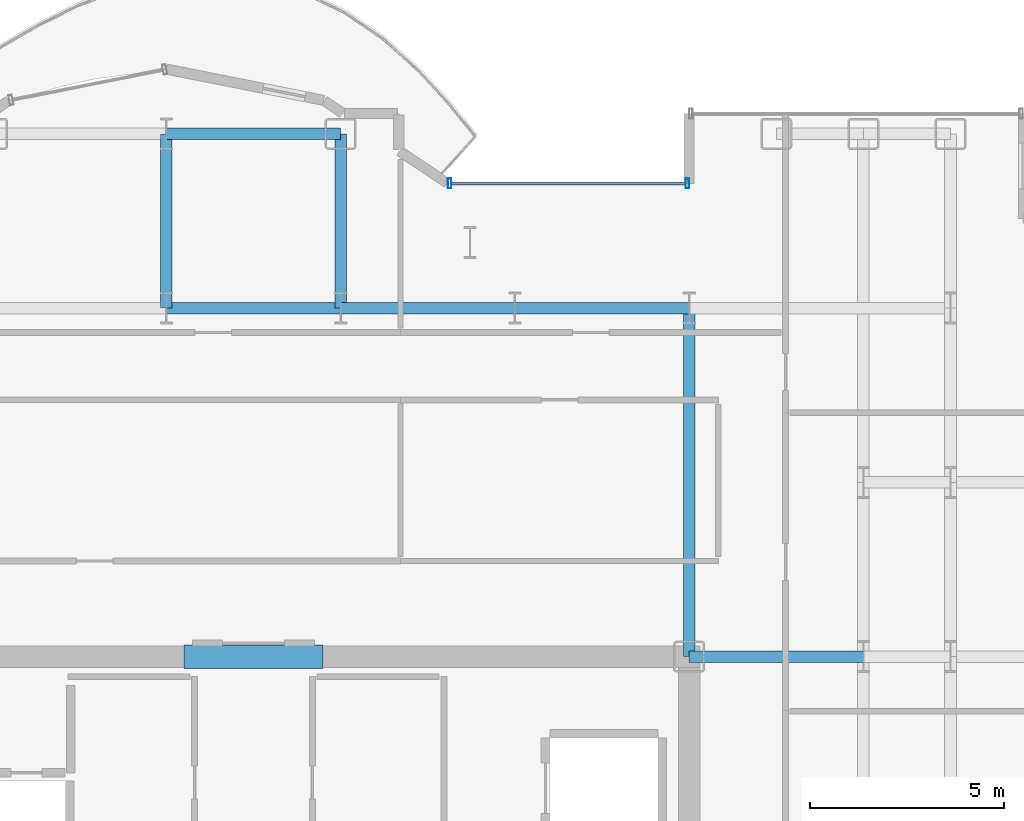
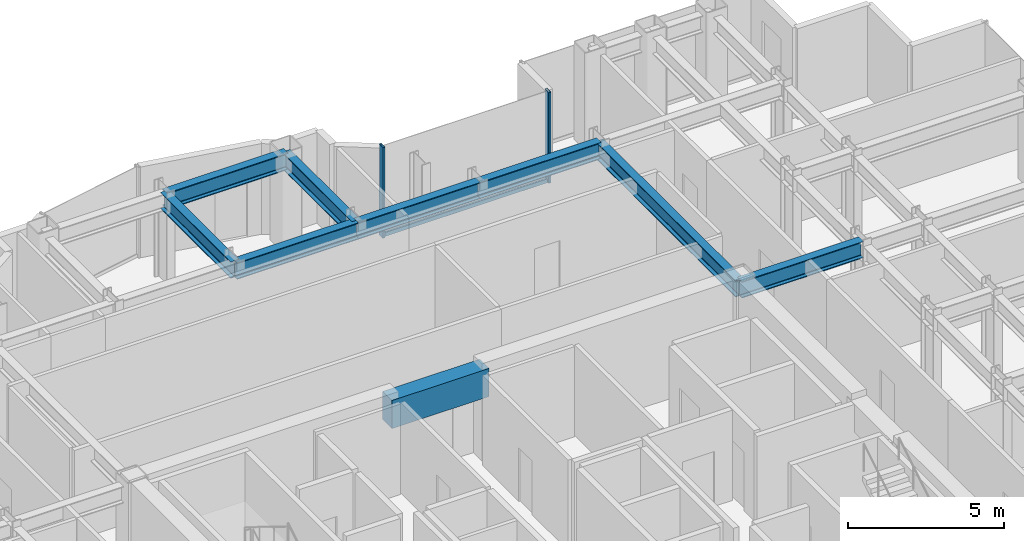
# One storey, part 15 of 25: 9 beams, 3 members, 1 element without a shape of its own.
"""IFC4 building model written with IfcOpenShell, lengths in metres."""

from ifc_helpers import new_model, si_unit, direction, frame, origin, origin_2d, place, context, subcontext, project, spatial, rectangle, hollow_rectangle, i_section, extrude, source, transform, mapped, material, layer, layer_set, material_profile, profile_set, type_object, element, aggregate, save


model = new_model("IFC4")

# Units and contexts
model_context = context("Model", 3, precision=1e-05, world=origin(), true_north=direction((0.0, 1.0)))
body_context = subcontext(model_context, "Body", "Model", "MODEL_VIEW")
ifc_project = project(units=[si_unit("LENGTHUNIT", "METRE"), si_unit("AREAUNIT", "SQUARE_METRE"), si_unit("VOLUMEUNIT", "CUBIC_METRE"), si_unit("PLANEANGLEUNIT", "RADIAN"), si_unit("MASSUNIT", "GRAM", prefix="KILO")], contexts=[model_context])

# Site, building, storey
site_placement = place(None, origin())
site = spatial("IfcSite", under=ifc_project, at=site_placement, CompositionType="ELEMENT")
building_placement = place(site_placement, origin())
building = spatial("IfcBuilding", under=site, at=building_placement, Name="Nefas-Gora Pilgrimage Tower", CompositionType="ELEMENT")
storey_placement = place(building_placement, frame((0.0, 0.0, 194.39990234375)))
storey = spatial("IfcBuildingStorey", under=building, at=storey_placement, Name="L48", CompositionType="ELEMENT", Elevation=194.39990234375)

# Beams
ifc_material_1 = material(Name="Concrete C60/75", Category="concrete")
ifc_material_profile_1 = material_profile(ifc_material_1, rectangle(XDim=0.60009765625, YDim=1.10009765625, at=origin_2d()), Name="RC 600x1100")
ifc_profile_set_1 = profile_set([ifc_material_profile_1], Name="Concrete C60/75")
beam_type_1 = type_object("IfcBeamType", Name="BM-LIN-RC1100", PredefinedType="LINTEL", material=ifc_profile_set_1)
shared_shape_1 = source(origin(), body_context, "Body", "SweptSolid", [
    extrude(rectangle(XDim=0.60009765625, YDim=1.10009765625, at=origin_2d()), origin(), (0.0, 0.0, 1.0), 3.60009765625),
])
beam_1_placement = place(storey_placement, frame((-1.800048828125, 9.0, 3.0), z_axis=(1.0, 0.0, 0.0), x_axis=(0.0, 1.0, 0.0)))
element("IfcBeam", 1, at=beam_1_placement, inside=storey, type_object=beam_type_1, Name="L48 Core Coupling Lintel Beam N", PredefinedType="LINTEL", context=body_context, shape_type="MappedRepresentation", body=[
    mapped(shared_shape_1, transform((0.0, 0.0, 0.0), x_axis=(1.0, 0.0, 0.0), y_axis=(0.0, 1.0, 0.0), z_axis=(0.0, 0.0, 1.0), scale=1.0)),
])
ifc_material_2 = material(Name="Steel S355", Category="steel")
ifc_material_profile_2 = material_profile(ifc_material_2, i_section(OverallWidth=0.300048828125, OverallDepth=0.64990234375, WebThickness=0.01611328125, FlangeThickness=0.031005859375, FilletRadius=0.027099609375, at=origin_2d()), Name="HEB 650")
ifc_profile_set_2 = profile_set([ifc_material_profile_2], Name="Steel S355")
beam_type_2 = type_object("IfcBeamType", Name="BM-GIR-HEB650", PredefinedType="BEAM", material=ifc_profile_set_2)
shared_shape_2 = source(origin(), body_context, "Body", "SweptSolid", [
    extrude(i_section(OverallWidth=0.300048828125, OverallDepth=0.64990234375, WebThickness=0.01611328125, FlangeThickness=0.031005859375, FilletRadius=0.027099609375, at=origin_2d()), origin(), (0.0, 0.0, 1.0), 9.0),
])
beam_2_placement = place(storey_placement, frame((11.25, 9.0, 3.22509765625), z_axis=(0.0, 1.0, 0.0), x_axis=(-1.0, 0.0, 0.0)))
element("IfcBeam", 2, at=beam_2_placement, inside=storey, type_object=beam_type_2, Name="L48 G-03 beam", PredefinedType="BEAM", context=body_context, shape_type="MappedRepresentation", body=[
    mapped(shared_shape_2, transform((0.0, 0.0, 0.0), x_axis=(1.0, 0.0, 0.0), y_axis=(0.0, 1.0, 0.0), z_axis=(0.0, 0.0, 1.0), scale=1.0)),
])
shared_shape_3 = source(origin(), body_context, "Body", "SweptSolid", [
    extrude(i_section(OverallWidth=0.300048828125, OverallDepth=0.64990234375, WebThickness=0.01611328125, FlangeThickness=0.031005859375, FilletRadius=0.027099609375, at=origin_2d()), origin(), (0.0, 0.0, 1.0), 4.5),
])
for number, where, z_axis, x_axis, name in (
    (3, (-2.25, 18.0, 3.22509765625), (0.0, 1.0, 0.0), (-1.0, 0.0, 0.0), "L48 G-03 beam"),
    (4, (-2.25, 18.0, 3.22509765625), (1.0, 0.0, 0.0), (0.0, 1.0, 0.0), "L48 G-03 beam"),
    (5, (-2.25, 22.5, 3.22509765625), (1.0, 0.0, 0.0), (0.0, 1.0, 0.0), "L48 G-03 beam"),
    (6, (2.25, 18.0, 3.22509765625), (0.0, 1.0, 0.0), (-1.0, 0.0, 0.0), "L48 G-03 beam"),
    (7, (2.25, 18.0, 3.22509765625), (1.0, 0.0, 0.0), (0.0, 1.0, 0.0), "L48 G-03 beam"),
    (8, (6.75, 18.0, 3.22509765625), (1.0, 0.0, 0.0), (0.0, 1.0, 0.0), "L48 G-03 beam"),
    (9, (11.25, 9.0, 3.22509765625), (1.0, 0.0, 0.0), (0.0, 1.0, 0.0), "L48 G-03 beam"),
):
    element("IfcBeam", number, at=place(storey_placement, frame(where, z_axis=z_axis, x_axis=x_axis)), inside=storey, type_object=beam_type_2, Name=name, PredefinedType="BEAM", context=body_context, shape_type="MappedRepresentation", body=[
        mapped(shared_shape_3, transform((0.0, 0.0, 0.0), x_axis=(1.0, 0.0, 0.0), y_axis=(0.0, 1.0, 0.0), z_axis=(0.0, 0.0, 1.0), scale=1.0)),
    ])

# Curtain wall, members
ifc_material_3 = material(Name="Dark ceramic-fritted solar-control aluminium-glass curtain wall", Category="aluminium")
ifc_layer = layer(ifc_material_3, 0.219970703125)
ifc_layer_set = layer_set([ifc_layer], Name="Dark ceramic-fritted solar-control aluminium-glass curtain wall")
curtain_wall_type = type_object("IfcCurtainWallType", Name="CW-SYS-5", PredefinedType="NOTDEFINED", material=ifc_layer_set)
curtain_wall_placement = place(storey_placement, origin())
curtain_wall = element("IfcCurtainWall", 10, at=curtain_wall_placement, inside=storey, type_object=curtain_wall_type, Name="L48 Unitised Curtain Wall CW5", PredefinedType="NOTDEFINED")
ifc_material_4 = material(Name="Anodised architectural aluminium", Category="aluminium")
ifc_material_profile_3 = material_profile(ifc_material_4, hollow_rectangle(XDim=0.090087890625, YDim=0.260009765625, WallThickness=0.006103515625, InnerFilletRadius=0.006103515625, OuterFilletRadius=0.011962890625, at=origin_2d()), Name="ALU MULLION 90x260")
ifc_profile_set_3 = profile_set([ifc_material_profile_3], Name="Anodised architectural aluminium")
member_type_1 = type_object("IfcMemberType", Name="CWM-MUL-5", PredefinedType="MULLION", material=ifc_profile_set_3)
shared_shape_4 = source(origin(), body_context, "Body", "SweptSolid", [
    extrude(hollow_rectangle(XDim=0.090087890625, YDim=0.260009765625, WallThickness=0.006103515625, InnerFilletRadius=0.006103515625, OuterFilletRadius=0.011962890625, at=origin_2d()), origin(), (0.0, 0.0, 1.0), 3.550048828125),
])
member_1_placement = place(storey_placement, frame((11.205078125, 21.219970703125, 0.0), z_axis=(0.0, 0.0, 1.0), x_axis=(-1.0, 0.0, 0.0)))
member_1 = element("IfcMember", 11, at=member_1_placement, type_object=member_type_1, Name="CW5 Mullion 1", PredefinedType="MULLION", context=body_context, shape_type="MappedRepresentation", body=[
    mapped(shared_shape_4, transform((0.0, 0.0, 0.0), x_axis=(1.0, 0.0, 0.0), y_axis=(0.0, 1.0, 0.0), z_axis=(0.0, 0.0, 1.0), scale=1.0)),
])
member_2_placement = place(storey_placement, frame((5.06298828125, 21.219970703125, 0.0), z_axis=(0.0, 0.0, 1.0), x_axis=(-1.0, 0.0, 0.0)))
member_2 = element("IfcMember", 12, at=member_2_placement, type_object=member_type_1, Name="CW5 Mullion 2", PredefinedType="MULLION", context=body_context, shape_type="MappedRepresentation", body=[
    mapped(shared_shape_4, transform((0.0, 0.0, 0.0), x_axis=(1.0, 0.0, 0.0), y_axis=(0.0, 1.0, 0.0), z_axis=(0.0, 0.0, 1.0), scale=1.0)),
])
ifc_material_profile_4 = material_profile(ifc_material_4, hollow_rectangle(XDim=0.080078125, YDim=0.159912109375, WallThickness=0.00439453125, InnerFilletRadius=0.00439453125, OuterFilletRadius=0.009033203125, at=origin_2d()), Name="ALU TRANSOM 80x160")
ifc_profile_set_4 = profile_set([ifc_material_profile_4], Name="Anodised architectural aluminium")
member_type_2 = type_object("IfcMemberType", Name="CWM-TRN-5", PredefinedType="USERDEFINED", material=ifc_profile_set_4)
shared_shape_5 = source(origin(), body_context, "Body", "SweptSolid", [
    extrude(hollow_rectangle(XDim=0.080078125, YDim=0.159912109375, WallThickness=0.00439453125, InnerFilletRadius=0.00439453125, OuterFilletRadius=0.009033203125, at=origin_2d()), origin(), (0.0, 0.0, 1.0), 6.052001953125),
])
member_3_placement = place(storey_placement, frame((11.159912109375, 21.219970703125, 0.050048828125), z_axis=(-1.0, 0.0, 0.0), x_axis=(0.0, -1.0, 0.0)))
member_3 = element("IfcMember", 13, at=member_3_placement, type_object=member_type_2, Name="CW5 Spandrel Transom", ObjectType="TRANSOM", PredefinedType="USERDEFINED", context=body_context, shape_type="MappedRepresentation", body=[
    mapped(shared_shape_5, transform((0.0, 0.0, 0.0), x_axis=(1.0, 0.0, 0.0), y_axis=(0.0, 1.0, 0.0), z_axis=(0.0, 0.0, 1.0), scale=1.0)),
])
aggregate(curtain_wall, [member_1, member_2, member_3])

save(model, "model.ifc")
